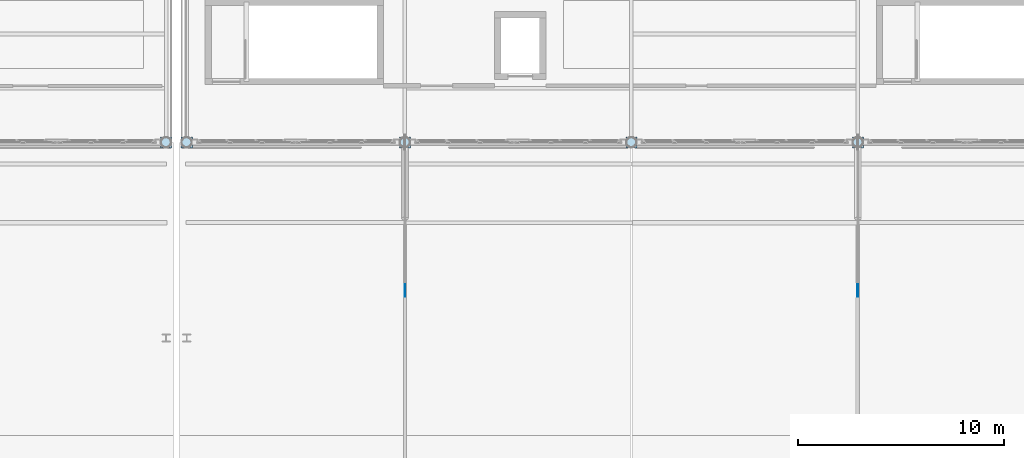
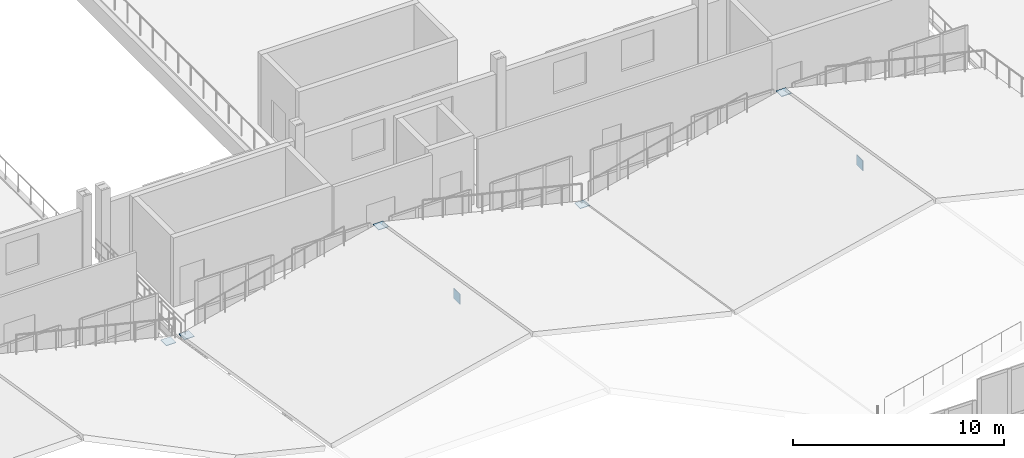
# One storey, part 91 of 120: 7 plates.
"""IFC4 building model written with IfcOpenShell, lengths in metres."""

from ifc_helpers import new_model, si_unit, direction, frame, origin, origin_2d, place, context, subcontext, project, spatial, rectangle, extrude, material, layer, layer_set, type_object, element, save


model = new_model("IFC4")

# Units and contexts
model_context = context("Model", 3, precision=1e-05, world=origin(), true_north=direction((0.0, 1.0)))
body_context = subcontext(model_context, "Body", "Model", "MODEL_VIEW")
ifc_project = project(units=[si_unit("LENGTHUNIT", "METRE"), si_unit("AREAUNIT", "SQUARE_METRE"), si_unit("VOLUMEUNIT", "CUBIC_METRE"), si_unit("PLANEANGLEUNIT", "RADIAN"), si_unit("MASSUNIT", "GRAM", prefix="KILO")], contexts=[model_context])

# Site, building, storey
site_placement = place(None, origin())
site = spatial("IfcSite", under=ifc_project, at=site_placement, CompositionType="ELEMENT")
building_placement = place(site_placement, origin())
building = spatial("IfcBuilding", under=site, at=building_placement, Name="Caurita Quay Ferry Terminal", CompositionType="ELEMENT")
storey_placement = place(building_placement, frame((0.0, 0.0, 9.89990234375)))
storey = spatial("IfcBuildingStorey", under=building, at=storey_placement, Name="L02", CompositionType="ELEMENT", Elevation=9.89990234375)

# Plates
ifc_material = material(Name="Structural plate steel ASTM A572 Gr. 50", Category="steel")
ifc_layer_1 = layer(ifc_material, 0.031982421875, Name="Structural steel connection plate 32 mm")
ifc_layer_set_1 = layer_set([ifc_layer_1], Name="Structural plate steel ASTM A572 Gr. 50")
plate_type_1 = type_object("IfcPlateType", Name="PLT-STL-32", PredefinedType="USERDEFINED", material=ifc_layer_set_1)
for number, where, z_axis, x_axis, name in (
    (1, (87.60009765625, 62.699951171875, 0.37890625), (0.0, 0.0, 1.0), (1.0, 0.0, 0.0), "Mast Top Cap Plate V1-09-N"),
    (2, (88.60009765625, 62.699951171875, 0.37890625), (0.0, 0.0, 1.0), (1.0, 0.0, 0.0), "Mast Top Cap Plate V2-01-N"),
    (3, (99.199951171875, 62.699951171875, 2.9990234375), (0.0, 0.0, 1.0), (1.0, 0.0, 0.0), "Mast Top Cap Plate V2-02-N"),
    (4, (110.199951171875, 62.699951171875, 0.37890625), (0.0, 0.0, 1.0), (1.0, 0.0, 0.0), "Mast Top Cap Plate V2-03-N"),
    (5, (121.199951171875, 62.699951171875, 2.9990234375), (0.0, 0.0, 1.0), (1.0, 0.0, 0.0), "Mast Top Cap Plate V2-04-N"),
):
    element("IfcPlate", number, at=place(storey_placement, frame(where, z_axis=z_axis, x_axis=x_axis)), inside=storey, type_object=plate_type_1, Name=name, ObjectType="GUSSET PLATE", PredefinedType="USERDEFINED", context=body_context, shape_type="SweptSolid", body=[
        extrude(rectangle(XDim=0.5400390625, YDim=0.5400390625, at=origin_2d()), origin(), (0.0, 0.0, 1.0), 0.031982421875),
    ])
ifc_layer_2 = layer(ifc_material, 0.0400390625, Name="Structural steel connection plate 40 mm")
ifc_layer_set_2 = layer_set([ifc_layer_2], Name="Structural plate steel ASTM A572 Gr. 50")
plate_type_2 = type_object("IfcPlateType", Name="PLT-STL-40", PredefinedType="USERDEFINED", material=ifc_layer_set_2)
for number, where, z_axis, x_axis, name in (
    (6, (99.199951171875, 55.5, 3.010009765625), (0.0, 0.0, 1.0), (1.0, 0.0, 0.0), "Girder Stay-Cable Anchorage Gusset V2-02-N1"),
    (7, (121.199951171875, 55.5, 3.016357421875), (0.0, 0.0, 1.0), (1.0, 0.0, 0.0), "Girder Stay-Cable Anchorage Gusset V2-04-N1"),
):
    element("IfcPlate", number, at=place(storey_placement, frame(where, z_axis=z_axis, x_axis=x_axis)), inside=storey, type_object=plate_type_2, Name=name, ObjectType="GUSSET PLATE", PredefinedType="USERDEFINED", context=body_context, shape_type="SweptSolid", body=[
        extrude(rectangle(XDim=0.0400390625, YDim=0.60009765625, at=origin_2d()), origin(), (0.0, 0.0, 1.0), 0.60009765625),
    ])

save(model, "model.ifc")
